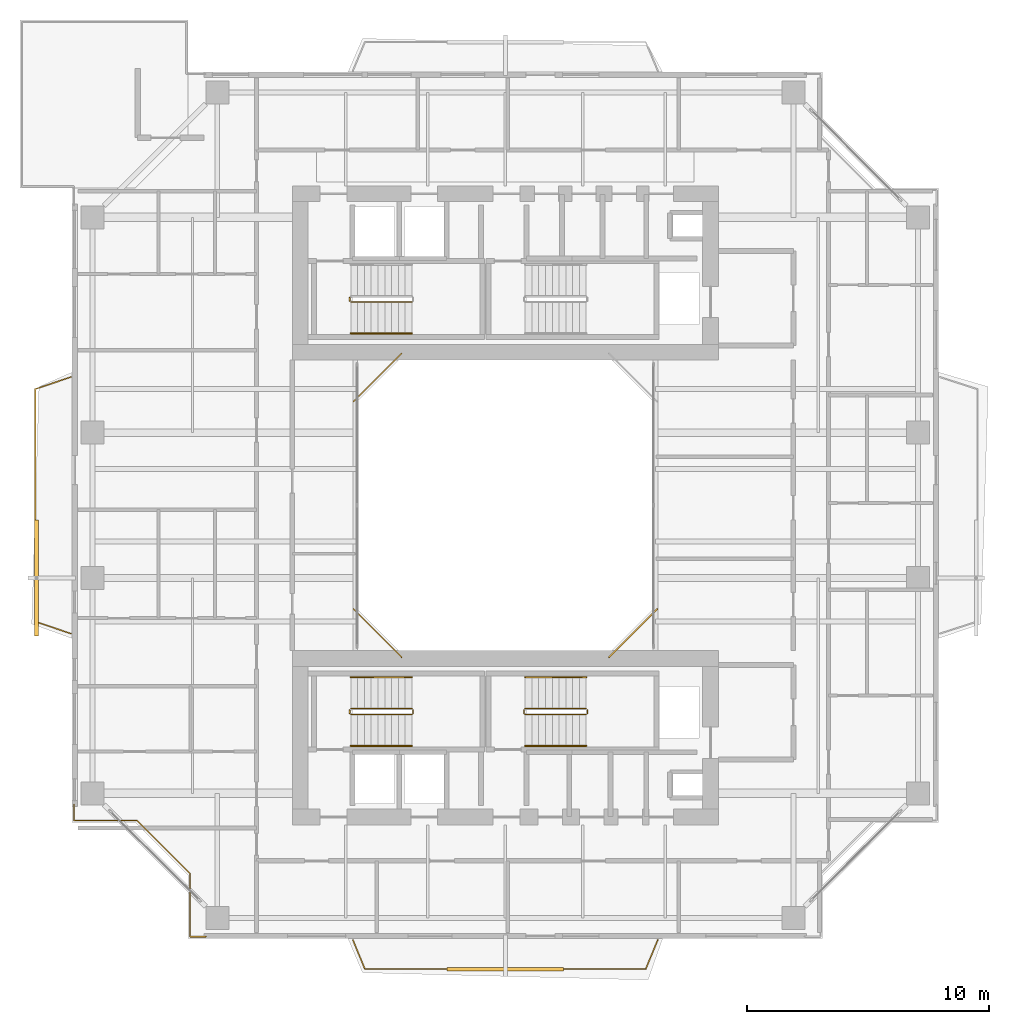
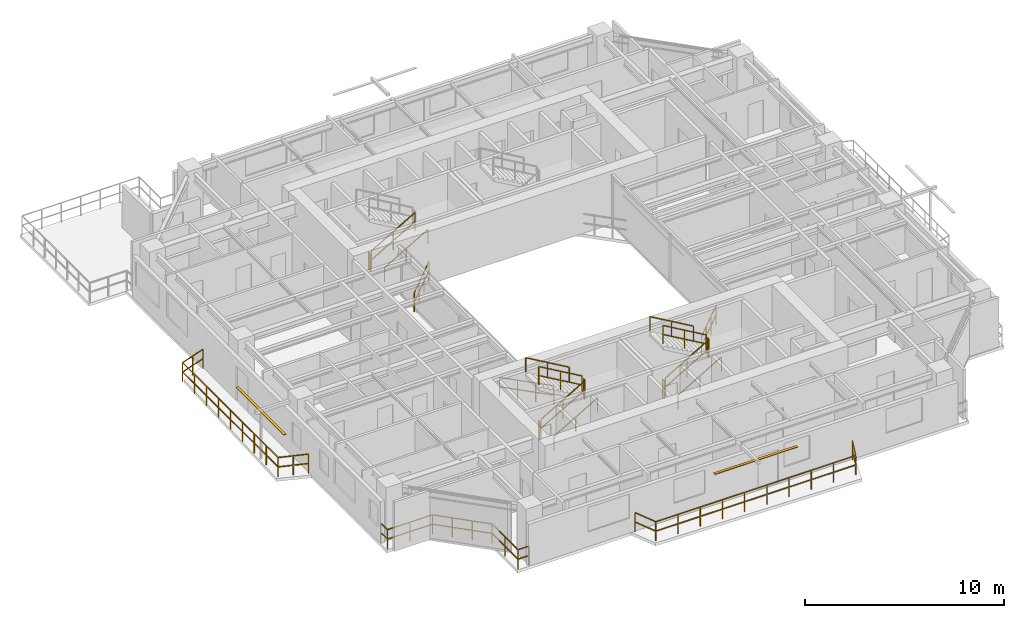
# One storey, part 16 of 18: 21 railings, 2 shading devices.
"""IFC4 building model written with IfcOpenShell, lengths in metres."""

from ifc_helpers import new_model, si_unit, direction, frame, origin, origin_2d, place, context, subcontext, project, spatial, rectangle, extrude, source, transform, mapped, material, material_profile, profile_set, type_object, element, save


model = new_model("IFC4")

# Units and contexts
model_context = context("Model", 3, precision=1e-05, world=origin(), true_north=direction((0.0, 1.0)))
body_context = subcontext(model_context, "Body", "Model", "MODEL_VIEW")
ifc_project = project(units=[si_unit("LENGTHUNIT", "METRE"), si_unit("AREAUNIT", "SQUARE_METRE"), si_unit("VOLUMEUNIT", "CUBIC_METRE"), si_unit("PLANEANGLEUNIT", "RADIAN"), si_unit("MASSUNIT", "GRAM", prefix="KILO"), si_unit("THERMODYNAMICTEMPERATUREUNIT", "KELVIN"), si_unit("POWERUNIT", "WATT")], contexts=[model_context])

# Site, building, storey
site_placement = place(None, origin())
site = spatial("IfcSite", under=ifc_project, at=site_placement, CompositionType="ELEMENT")
building_placement = place(site_placement, origin())
building = spatial("IfcBuilding", under=site, at=building_placement, Name="Qiaomeng Ring Towers", CompositionType="ELEMENT")
storey_placement = place(building_placement, frame((0.0, 0.0, 182.75)))
storey = spatial("IfcBuildingStorey", under=building, at=storey_placement, Name="L53", CompositionType="ELEMENT", Elevation=182.75)

# Railings
ifc_material_1 = material(Name="Low-E pale-green laminated safety glass", Category="glass")
railing_type_1 = type_object("IfcRailingType", Name="ARC-RL-BAL1", PredefinedType="BALUSTRADE", material=ifc_material_1)
railing_1_placement = place(storey_placement, frame((23.280029296875, 16.719970703125, 0.0)))
element("IfcRailing", 1, at=railing_1_placement, inside=storey, type_object=railing_type_1, Name="L53 Balustrade ARC-BAL-WELL1-L53-1", PredefinedType="BALUSTRADE", context=body_context, shape_type="SweptSolid", body=[
    extrude(rectangle(XDim=0.048095703125, YDim=0.048095703125, at=origin_2d()), frame((0.0, 0.0, 1.17578125), z_axis=(0.707106781187, 0.707106781187, 0.0), x_axis=(-0.707106781187, 0.707106781187, 0.0)), (0.0, 0.0, 1.0), 2.828369140625),
    extrude(rectangle(XDim=0.048095703125, YDim=0.048095703125, at=origin_2d()), frame((0.0, 0.0, 0.60009765625), z_axis=(0.707106781187, 0.707106781187, 0.0), x_axis=(-0.707106781187, 0.707106781187, 0.0)), (0.0, 0.0, 1.0), 2.828369140625),
    extrude(rectangle(XDim=0.0419921875, YDim=0.0419921875, at=origin_2d()), origin(), (0.0, 0.0, 1.0), 1.15185546875),
    extrude(rectangle(XDim=0.0419921875, YDim=0.0419921875, at=origin_2d()), frame((0.666748046875, 0.666748046875, 0.0)), (0.0, 0.0, 1.0), 1.15185546875),
    extrude(rectangle(XDim=0.0419921875, YDim=0.0419921875, at=origin_2d()), frame((1.333251953125, 1.333251953125, 0.0)), (0.0, 0.0, 1.0), 1.15185546875),
    extrude(rectangle(XDim=0.0419921875, YDim=0.0419921875, at=origin_2d()), frame((2.0, 2.0, 0.0)), (0.0, 0.0, 1.0), 1.15185546875),
])
railing_2_placement = place(storey_placement, frame((14.719970703125, 29.280029296875, 0.0)))
element("IfcRailing", 2, at=railing_2_placement, inside=storey, type_object=railing_type_1, Name="L53 Balustrade ARC-BAL-WELL1-L53-3", PredefinedType="BALUSTRADE", context=body_context, shape_type="SweptSolid", body=[
    extrude(rectangle(XDim=0.048095703125, YDim=0.048095703125, at=origin_2d()), frame((0.0, 0.0, 1.17578125), z_axis=(-0.707106781187, -0.707106781187, 0.0), x_axis=(0.707106781187, -0.707106781187, 0.0)), (0.0, 0.0, 1.0), 2.828369140625),
    extrude(rectangle(XDim=0.048095703125, YDim=0.048095703125, at=origin_2d()), frame((0.0, 0.0, 0.60009765625), z_axis=(-0.707106781187, -0.707106781187, 0.0), x_axis=(0.707106781187, -0.707106781187, 0.0)), (0.0, 0.0, 1.0), 2.828369140625),
    extrude(rectangle(XDim=0.0419921875, YDim=0.0419921875, at=origin_2d()), origin(), (0.0, 0.0, 1.0), 1.15185546875),
    extrude(rectangle(XDim=0.0419921875, YDim=0.0419921875, at=origin_2d()), frame((-0.666748046875, -0.666748046875, 0.0)), (0.0, 0.0, 1.0), 1.15185546875),
    extrude(rectangle(XDim=0.0419921875, YDim=0.0419921875, at=origin_2d()), frame((-1.333251953125, -1.333251953125, 0.0)), (0.0, 0.0, 1.0), 1.15185546875),
    extrude(rectangle(XDim=0.0419921875, YDim=0.0419921875, at=origin_2d()), frame((-2.0, -2.0, 0.0)), (0.0, 0.0, 1.0), 1.15185546875),
])
railing_3_placement = place(storey_placement, frame((12.719970703125, 18.719970703125, 0.0)))
element("IfcRailing", 3, at=railing_3_placement, inside=storey, type_object=railing_type_1, Name="L53 Balustrade ARC-BAL-WELL1-L53-4", PredefinedType="BALUSTRADE", context=body_context, shape_type="SweptSolid", body=[
    extrude(rectangle(XDim=0.048095703125, YDim=0.048095703125, at=origin_2d()), frame((0.0, 0.0, 1.17578125), z_axis=(0.707106781187, -0.707106781187, 0.0), x_axis=(0.707106781187, 0.707106781187, 0.0)), (0.0, 0.0, 1.0), 2.828369140625),
    extrude(rectangle(XDim=0.048095703125, YDim=0.048095703125, at=origin_2d()), frame((0.0, 0.0, 0.60009765625), z_axis=(0.707106781187, -0.707106781187, 0.0), x_axis=(0.707106781187, 0.707106781187, 0.0)), (0.0, 0.0, 1.0), 2.828369140625),
    extrude(rectangle(XDim=0.0419921875, YDim=0.0419921875, at=origin_2d()), origin(), (0.0, 0.0, 1.0), 1.15185546875),
    extrude(rectangle(XDim=0.0419921875, YDim=0.0419921875, at=origin_2d()), frame((0.666748046875, -0.666748046875, 0.0)), (0.0, 0.0, 1.0), 1.15185546875),
    extrude(rectangle(XDim=0.0419921875, YDim=0.0419921875, at=origin_2d()), frame((1.333251953125, -1.333251953125, 0.0)), (0.0, 0.0, 1.0), 1.15185546875),
    extrude(rectangle(XDim=0.0419921875, YDim=0.0419921875, at=origin_2d()), frame((2.0, -2.0, 0.0)), (0.0, 0.0, 1.0), 1.15185546875),
])
railing_4_placement = place(storey_placement, frame((1.179931640625, 10.6298828125, 0.0)))
element("IfcRailing", 4, at=railing_4_placement, inside=storey, type_object=railing_type_1, Name="L53 Balustrade ARC-BAL-NOTCH1-L53-SW", PredefinedType="BALUSTRADE", context=body_context, shape_type="SweptSolid", body=[
    extrude(rectangle(XDim=0.048095703125, YDim=0.048095703125, at=origin_2d()), frame((0.0, 0.0, 1.17578125), z_axis=(0.0, -1.0, 0.0), x_axis=(1.0, 0.0, 0.0)), (0.0, 0.0, 1.0), 0.64990234375),
    extrude(rectangle(XDim=0.048095703125, YDim=0.048095703125, at=origin_2d()), frame((0.0, 0.0, 0.60009765625), z_axis=(0.0, -1.0, 0.0), x_axis=(1.0, 0.0, 0.0)), (0.0, 0.0, 1.0), 0.64990234375),
    extrude(rectangle(XDim=0.048095703125, YDim=0.048095703125, at=origin_2d()), frame((0.0, -0.64990234375, 1.17578125), z_axis=(1.0, 0.0, 0.0), x_axis=(0.0, 1.0, 0.0)), (0.0, 0.0, 1.0), 2.60009765625),
    extrude(rectangle(XDim=0.048095703125, YDim=0.048095703125, at=origin_2d()), frame((0.0, -0.64990234375, 0.60009765625), z_axis=(1.0, 0.0, 0.0), x_axis=(0.0, 1.0, 0.0)), (0.0, 0.0, 1.0), 2.60009765625),
    extrude(rectangle(XDim=0.048095703125, YDim=0.048095703125, at=origin_2d()), frame((2.60009765625, -0.64990234375, 1.17578125), z_axis=(0.707106781187, -0.707106781187, 0.0), x_axis=(0.707106781187, 0.707106781187, 0.0)), (0.0, 0.0, 1.0), 3.111083984375),
    extrude(rectangle(XDim=0.048095703125, YDim=0.048095703125, at=origin_2d()), frame((2.60009765625, -0.64990234375, 0.60009765625), z_axis=(0.707106781187, -0.707106781187, 0.0), x_axis=(0.707106781187, 0.707106781187, 0.0)), (0.0, 0.0, 1.0), 3.111083984375),
    extrude(rectangle(XDim=0.048095703125, YDim=0.048095703125, at=origin_2d()), frame((4.800048828125, -2.849853515625, 1.17578125), z_axis=(0.0, -1.0, 0.0), x_axis=(1.0, 0.0, 0.0)), (0.0, 0.0, 1.0), 2.60009765625),
    extrude(rectangle(XDim=0.048095703125, YDim=0.048095703125, at=origin_2d()), frame((4.800048828125, -2.849853515625, 0.60009765625), z_axis=(0.0, -1.0, 0.0), x_axis=(1.0, 0.0, 0.0)), (0.0, 0.0, 1.0), 2.60009765625),
    extrude(rectangle(XDim=0.048095703125, YDim=0.048095703125, at=origin_2d()), frame((4.800048828125, -5.449951171875, 1.17578125), z_axis=(1.0, 0.0, 0.0), x_axis=(0.0, 1.0, 0.0)), (0.0, 0.0, 1.0), 0.64990234375),
    extrude(rectangle(XDim=0.048095703125, YDim=0.048095703125, at=origin_2d()), frame((4.800048828125, -5.449951171875, 0.60009765625), z_axis=(1.0, 0.0, 0.0), x_axis=(0.0, 1.0, 0.0)), (0.0, 0.0, 1.0), 0.64990234375),
    extrude(rectangle(XDim=0.0419921875, YDim=0.0419921875, at=origin_2d()), origin(), (0.0, 0.0, 1.0), 1.15185546875),
    extrude(rectangle(XDim=0.0419921875, YDim=0.0419921875, at=origin_2d()), frame((0.0, -0.64990234375, 0.0)), (0.0, 0.0, 1.0), 1.15185546875),
    extrude(rectangle(XDim=0.0419921875, YDim=0.0419921875, at=origin_2d()), frame((1.300048828125, -0.64990234375, 0.0)), (0.0, 0.0, 1.0), 1.15185546875),
    extrude(rectangle(XDim=0.0419921875, YDim=0.0419921875, at=origin_2d()), frame((2.60009765625, -0.64990234375, 0.0)), (0.0, 0.0, 1.0), 1.15185546875),
    extrude(rectangle(XDim=0.0419921875, YDim=0.0419921875, at=origin_2d()), frame((3.33349609375, -1.38330078125, 0.0)), (0.0, 0.0, 1.0), 1.15185546875),
    extrude(rectangle(XDim=0.0419921875, YDim=0.0419921875, at=origin_2d()), frame((4.066650390625, -2.116455078125, 0.0)), (0.0, 0.0, 1.0), 1.15185546875),
    extrude(rectangle(XDim=0.0419921875, YDim=0.0419921875, at=origin_2d()), frame((4.800048828125, -2.849853515625, 0.0)), (0.0, 0.0, 1.0), 1.15185546875),
    extrude(rectangle(XDim=0.0419921875, YDim=0.0419921875, at=origin_2d()), frame((4.800048828125, -4.14990234375, 0.0)), (0.0, 0.0, 1.0), 1.15185546875),
    extrude(rectangle(XDim=0.0419921875, YDim=0.0419921875, at=origin_2d()), frame((4.800048828125, -5.449951171875, 0.0)), (0.0, 0.0, 1.0), 1.15185546875),
    extrude(rectangle(XDim=0.0419921875, YDim=0.0419921875, at=origin_2d()), frame((5.449951171875, -5.449951171875, 0.0)), (0.0, 0.0, 1.0), 1.15185546875),
])
railing_5_placement = place(storey_placement, frame((12.699951171875, 5.050048828125, 0.0)))
element("IfcRailing", 5, at=railing_5_placement, inside=storey, type_object=railing_type_1, Name="L53 Balustrade ARC-BAL-L53-T1-S", PredefinedType="BALUSTRADE", context=body_context, shape_type="SweptSolid", body=[
    extrude(rectangle(XDim=0.048095703125, YDim=0.048095703125, at=origin_2d()), frame((0.0, 0.0, 1.17578125), z_axis=(0.381912525892, -0.924198475743, 0.0), x_axis=(0.924198475743, 0.381912525892, 0.0)), (0.0, 0.0, 1.0), 1.30908203125),
    extrude(rectangle(XDim=0.048095703125, YDim=0.048095703125, at=origin_2d()), frame((0.0, 0.0, 0.60009765625), z_axis=(0.381912525892, -0.924198475743, 0.0), x_axis=(0.924198475743, 0.381912525892, 0.0)), (0.0, 0.0, 1.0), 1.30908203125),
    extrude(rectangle(XDim=0.048095703125, YDim=0.048095703125, at=origin_2d()), frame((0.5, -1.2099609375, 1.17578125), z_axis=(1.0, 0.0, 0.0), x_axis=(0.0, 1.0, 0.0)), (0.0, 0.0, 1.0), 11.60009765625),
    extrude(rectangle(XDim=0.048095703125, YDim=0.048095703125, at=origin_2d()), frame((0.5, -1.2099609375, 0.60009765625), z_axis=(1.0, 0.0, 0.0), x_axis=(0.0, 1.0, 0.0)), (0.0, 0.0, 1.0), 11.60009765625),
    extrude(rectangle(XDim=0.048095703125, YDim=0.048095703125, at=origin_2d()), frame((12.10009765625, -1.2099609375, 1.17578125), z_axis=(0.381912525892, 0.924198475743, 0.0), x_axis=(-0.924198475743, 0.381912525892, 0.0)), (0.0, 0.0, 1.0), 1.30908203125),
    extrude(rectangle(XDim=0.048095703125, YDim=0.048095703125, at=origin_2d()), frame((12.10009765625, -1.2099609375, 0.60009765625), z_axis=(0.381912525892, 0.924198475743, 0.0), x_axis=(-0.924198475743, 0.381912525892, 0.0)), (0.0, 0.0, 1.0), 1.30908203125),
    extrude(rectangle(XDim=0.0419921875, YDim=0.0419921875, at=origin_2d()), origin(), (0.0, 0.0, 1.0), 1.15185546875),
    extrude(rectangle(XDim=0.0419921875, YDim=0.0419921875, at=origin_2d()), frame((0.5, -1.2099609375, 0.0)), (0.0, 0.0, 1.0), 1.15185546875),
    extrude(rectangle(XDim=0.0419921875, YDim=0.0419921875, at=origin_2d()), frame((1.788818359375, -1.2099609375, 0.0)), (0.0, 0.0, 1.0), 1.15185546875),
    extrude(rectangle(XDim=0.0419921875, YDim=0.0419921875, at=origin_2d()), frame((3.077880859375, -1.2099609375, 0.0)), (0.0, 0.0, 1.0), 1.15185546875),
    extrude(rectangle(XDim=0.0419921875, YDim=0.0419921875, at=origin_2d()), frame((4.36669921875, -1.2099609375, 0.0)), (0.0, 0.0, 1.0), 1.15185546875),
    extrude(rectangle(XDim=0.0419921875, YDim=0.0419921875, at=origin_2d()), frame((5.655517578125, -1.2099609375, 0.0)), (0.0, 0.0, 1.0), 1.15185546875),
    extrude(rectangle(XDim=0.0419921875, YDim=0.0419921875, at=origin_2d()), frame((6.944580078125, -1.2099609375, 0.0)), (0.0, 0.0, 1.0), 1.15185546875),
    extrude(rectangle(XDim=0.0419921875, YDim=0.0419921875, at=origin_2d()), frame((8.2333984375, -1.2099609375, 0.0)), (0.0, 0.0, 1.0), 1.15185546875),
    extrude(rectangle(XDim=0.0419921875, YDim=0.0419921875, at=origin_2d()), frame((9.522216796875, -1.2099609375, 0.0)), (0.0, 0.0, 1.0), 1.15185546875),
    extrude(rectangle(XDim=0.0419921875, YDim=0.0419921875, at=origin_2d()), frame((10.811279296875, -1.2099609375, 0.0)), (0.0, 0.0, 1.0), 1.15185546875),
    extrude(rectangle(XDim=0.0419921875, YDim=0.0419921875, at=origin_2d()), frame((12.10009765625, -1.2099609375, 0.0)), (0.0, 0.0, 1.0), 1.15185546875),
    extrude(rectangle(XDim=0.0419921875, YDim=0.0419921875, at=origin_2d()), frame((12.60009765625, 0.0, 0.0)), (0.0, 0.0, 1.0), 1.15185546875),
])
railing_6_placement = place(storey_placement, frame((1.050048828125, 17.699951171875, 0.0)))
element("IfcRailing", 6, at=railing_6_placement, inside=storey, type_object=railing_type_1, Name="L53 Balustrade ARC-BAL-L53-T1-W", PredefinedType="BALUSTRADE", context=body_context, shape_type="SweptSolid", body=[
    extrude(rectangle(XDim=0.048095703125, YDim=0.048095703125, at=origin_2d()), frame((0.0, 0.0, 1.17578125), z_axis=(-0.946731524739, 0.322023943309, 0.0), x_axis=(-0.322023943309, -0.946731524739, 0.0)), (0.0, 0.0, 1.0), 1.552734375),
    extrude(rectangle(XDim=0.048095703125, YDim=0.048095703125, at=origin_2d()), frame((0.0, 0.0, 0.60009765625), z_axis=(-0.946731524739, 0.322023943309, 0.0), x_axis=(-0.322023943309, -0.946731524739, 0.0)), (0.0, 0.0, 1.0), 1.552734375),
    extrude(rectangle(XDim=0.048095703125, YDim=0.048095703125, at=origin_2d()), frame((-1.469970703125, 0.5, 1.17578125), z_axis=(0.0, 1.0, 0.0), x_axis=(-1.0, 0.0, 0.0)), (0.0, 0.0, 1.0), 9.60009765625),
    extrude(rectangle(XDim=0.048095703125, YDim=0.048095703125, at=origin_2d()), frame((-1.469970703125, 0.5, 0.60009765625), z_axis=(0.0, 1.0, 0.0), x_axis=(-1.0, 0.0, 0.0)), (0.0, 0.0, 1.0), 9.60009765625),
    extrude(rectangle(XDim=0.048095703125, YDim=0.048095703125, at=origin_2d()), frame((-1.469970703125, 10.10009765625, 1.17578125), z_axis=(0.946731524739, 0.322023943309, 0.0), x_axis=(-0.322023943309, 0.946731524739, 0.0)), (0.0, 0.0, 1.0), 1.552734375),
    extrude(rectangle(XDim=0.048095703125, YDim=0.048095703125, at=origin_2d()), frame((-1.469970703125, 10.10009765625, 0.60009765625), z_axis=(0.946731524739, 0.322023943309, 0.0), x_axis=(-0.322023943309, 0.946731524739, 0.0)), (0.0, 0.0, 1.0), 1.552734375),
    extrude(rectangle(XDim=0.0419921875, YDim=0.0419921875, at=origin_2d()), origin(), (0.0, 0.0, 1.0), 1.15185546875),
    extrude(rectangle(XDim=0.0419921875, YDim=0.0419921875, at=origin_2d()), frame((-0.73486328125, 0.25, 0.0)), (0.0, 0.0, 1.0), 1.15185546875),
    extrude(rectangle(XDim=0.0419921875, YDim=0.0419921875, at=origin_2d()), frame((-1.469970703125, 0.5, 0.0)), (0.0, 0.0, 1.0), 1.15185546875),
    extrude(rectangle(XDim=0.0419921875, YDim=0.0419921875, at=origin_2d()), frame((-1.469970703125, 1.699951171875, 0.0)), (0.0, 0.0, 1.0), 1.15185546875),
    extrude(rectangle(XDim=0.0419921875, YDim=0.0419921875, at=origin_2d()), frame((-1.469970703125, 2.89990234375, 0.0)), (0.0, 0.0, 1.0), 1.15185546875),
    extrude(rectangle(XDim=0.0419921875, YDim=0.0419921875, at=origin_2d()), frame((-1.469970703125, 4.10009765625, 0.0)), (0.0, 0.0, 1.0), 1.15185546875),
    extrude(rectangle(XDim=0.0419921875, YDim=0.0419921875, at=origin_2d()), frame((-1.469970703125, 5.300048828125, 0.0)), (0.0, 0.0, 1.0), 1.15185546875),
    extrude(rectangle(XDim=0.0419921875, YDim=0.0419921875, at=origin_2d()), frame((-1.469970703125, 6.5, 0.0)), (0.0, 0.0, 1.0), 1.15185546875),
    extrude(rectangle(XDim=0.0419921875, YDim=0.0419921875, at=origin_2d()), frame((-1.469970703125, 7.7001953125, 0.0)), (0.0, 0.0, 1.0), 1.15185546875),
    extrude(rectangle(XDim=0.0419921875, YDim=0.0419921875, at=origin_2d()), frame((-1.469970703125, 8.900146484375, 0.0)), (0.0, 0.0, 1.0), 1.15185546875),
    extrude(rectangle(XDim=0.0419921875, YDim=0.0419921875, at=origin_2d()), frame((-1.469970703125, 10.10009765625, 0.0)), (0.0, 0.0, 1.0), 1.15185546875),
    extrude(rectangle(XDim=0.0419921875, YDim=0.0419921875, at=origin_2d()), frame((-0.73486328125, 10.35009765625, 0.0)), (0.0, 0.0, 1.0), 1.15185546875),
    extrude(rectangle(XDim=0.0419921875, YDim=0.0419921875, at=origin_2d()), frame((0.0, 10.60009765625, 0.0)), (0.0, 0.0, 1.0), 1.15185546875),
])
ifc_material_2 = material(Name="Galvanised steel", Category="steel")
railing_type_2 = type_object("IfcRailingType", Name="ARC-RL-GUARD", PredefinedType="GUARDRAIL", material=ifc_material_2)
railing_7_placement = place(storey_placement, frame((12.6201171875, 31.39990234375, 0.16259765625)))
element("IfcRailing", 7, at=railing_7_placement, inside=storey, type_object=railing_type_2, Name="L53 ST1 stair guard 1", PredefinedType="GUARDRAIL", context=body_context, shape_type="SweptSolid", body=[
    extrude(rectangle(XDim=0.048095703125, YDim=0.048095703125, at=origin_2d()), frame((0.0, 0.0, 1.1259765625), z_axis=(0.864892226395, 0.0, 0.501957604506), x_axis=(0.0, 1.0, 0.0)), (0.0, 0.0, 1.0), 2.913330078125),
    extrude(rectangle(XDim=0.048095703125, YDim=0.048095703125, at=origin_2d()), frame((0.0, 0.0, 0.574951171875), z_axis=(0.864892226395, 0.0, 0.501957604506), x_axis=(0.0, 1.0, 0.0)), (0.0, 0.0, 1.0), 2.913330078125),
    extrude(rectangle(XDim=0.0419921875, YDim=0.0419921875, at=origin_2d()), origin(), (0.0, 0.0, 1.0), 1.101806640625),
    extrude(rectangle(XDim=0.0419921875, YDim=0.0419921875, at=origin_2d()), frame((1.259765625, 0.0, 0.731201171875)), (0.0, 0.0, 1.0), 1.101806640625),
    extrude(rectangle(XDim=0.0419921875, YDim=0.0419921875, at=origin_2d()), frame((2.519775390625, 0.0, 1.46240234375)), (0.0, 0.0, 1.0), 1.101806640625),
])
railing_8_placement = place(storey_placement, frame((12.570068359375, 31.449951171875, 0.0)))
element("IfcRailing", 8, at=railing_8_placement, inside=storey, type_object=railing_type_2, Name="L53 ST1 stair guard 4", PredefinedType="GUARDRAIL", context=body_context, shape_type="SweptSolid", body=[
    extrude(rectangle(XDim=0.048095703125, YDim=0.048095703125, at=origin_2d()), frame((0.0, 0.0, 1.1259765625), z_axis=(0.0, 1.0, 0.0), x_axis=(-1.0, 0.0, 0.0)), (0.0, 0.0, 1.0), 0.14013671875),
    extrude(rectangle(XDim=0.048095703125, YDim=0.048095703125, at=origin_2d()), frame((0.0, 0.0, 0.574951171875), z_axis=(0.0, 1.0, 0.0), x_axis=(-1.0, 0.0, 0.0)), (0.0, 0.0, 1.0), 0.14013671875),
    extrude(rectangle(XDim=0.0419921875, YDim=0.0419921875, at=origin_2d()), origin(), (0.0, 0.0, 1.0), 1.101806640625),
    extrude(rectangle(XDim=0.0419921875, YDim=0.0419921875, at=origin_2d()), frame((0.0, 0.14013671875, 0.0)), (0.0, 0.0, 1.0), 1.101806640625),
])
railing_9_placement = place(storey_placement, frame((12.6201171875, 14.360107421875, 0.16259765625)))
element("IfcRailing", 9, at=railing_9_placement, inside=storey, type_object=railing_type_2, Name="L53 ST3 stair guard 1", PredefinedType="GUARDRAIL", context=body_context, shape_type="SweptSolid", body=[
    extrude(rectangle(XDim=0.048095703125, YDim=0.048095703125, at=origin_2d()), frame((0.0, 0.0, 1.1259765625), z_axis=(0.864892226395, 0.0, 0.501957604506), x_axis=(0.0, 1.0, 0.0)), (0.0, 0.0, 1.0), 2.913330078125),
    extrude(rectangle(XDim=0.048095703125, YDim=0.048095703125, at=origin_2d()), frame((0.0, 0.0, 0.574951171875), z_axis=(0.864892226395, 0.0, 0.501957604506), x_axis=(0.0, 1.0, 0.0)), (0.0, 0.0, 1.0), 2.913330078125),
    extrude(rectangle(XDim=0.0419921875, YDim=0.0419921875, at=origin_2d()), origin(), (0.0, 0.0, 1.0), 1.101806640625),
    extrude(rectangle(XDim=0.0419921875, YDim=0.0419921875, at=origin_2d()), frame((1.259765625, 0.0, 0.731201171875)), (0.0, 0.0, 1.0), 1.101806640625),
    extrude(rectangle(XDim=0.0419921875, YDim=0.0419921875, at=origin_2d()), frame((2.519775390625, 0.0, 1.46240234375)), (0.0, 0.0, 1.0), 1.101806640625),
])
railing_10_placement = place(storey_placement, frame((15.18994140625, 14.409912109375, 1.625)))
element("IfcRailing", 10, at=railing_10_placement, inside=storey, type_object=railing_type_2, Name="L53 ST3 stair guard 2", PredefinedType="GUARDRAIL", context=body_context, shape_type="SweptSolid", body=[
    extrude(rectangle(XDim=0.048095703125, YDim=0.048095703125, at=origin_2d()), frame((0.0, 0.0, 1.1259765625), z_axis=(0.0, 1.0, 0.0), x_axis=(-1.0, 0.0, 0.0)), (0.0, 0.0, 1.0), 0.14013671875),
    extrude(rectangle(XDim=0.048095703125, YDim=0.048095703125, at=origin_2d()), frame((0.0, 0.0, 0.574951171875), z_axis=(0.0, 1.0, 0.0), x_axis=(-1.0, 0.0, 0.0)), (0.0, 0.0, 1.0), 0.14013671875),
    extrude(rectangle(XDim=0.0419921875, YDim=0.0419921875, at=origin_2d()), origin(), (0.0, 0.0, 1.0), 1.101806640625),
    extrude(rectangle(XDim=0.0419921875, YDim=0.0419921875, at=origin_2d()), frame((0.0, 0.14013671875, 0.0)), (0.0, 0.0, 1.0), 1.101806640625),
])
railing_11_placement = place(storey_placement, frame((15.139892578125, 14.60009765625, 1.78759765625)))
element("IfcRailing", 11, at=railing_11_placement, inside=storey, type_object=railing_type_2, Name="L53 ST3 stair guard 3", PredefinedType="GUARDRAIL", context=body_context, shape_type="SweptSolid", body=[
    extrude(rectangle(XDim=0.048095703125, YDim=0.048095703125, at=origin_2d()), frame((0.0, 0.0, 1.1259765625), z_axis=(-0.864892226395, 0.0, 0.501957604506), x_axis=(0.0, -1.0, 0.0)), (0.0, 0.0, 1.0), 2.913330078125),
    extrude(rectangle(XDim=0.048095703125, YDim=0.048095703125, at=origin_2d()), frame((0.0, 0.0, 0.574951171875), z_axis=(-0.864892226395, 0.0, 0.501957604506), x_axis=(0.0, -1.0, 0.0)), (0.0, 0.0, 1.0), 2.913330078125),
    extrude(rectangle(XDim=0.0419921875, YDim=0.0419921875, at=origin_2d()), origin(), (0.0, 0.0, 1.0), 1.101806640625),
    extrude(rectangle(XDim=0.0419921875, YDim=0.0419921875, at=origin_2d()), frame((-1.259765625, 0.0, 0.731201171875)), (0.0, 0.0, 1.0), 1.101806640625),
    extrude(rectangle(XDim=0.0419921875, YDim=0.0419921875, at=origin_2d()), frame((-2.519775390625, 0.0, 1.46240234375)), (0.0, 0.0, 1.0), 1.101806640625),
])
railing_12_placement = place(storey_placement, frame((12.570068359375, 14.409912109375, 0.0)))
element("IfcRailing", 12, at=railing_12_placement, inside=storey, type_object=railing_type_2, Name="L53 ST3 stair guard 4", PredefinedType="GUARDRAIL", context=body_context, shape_type="SweptSolid", body=[
    extrude(rectangle(XDim=0.048095703125, YDim=0.048095703125, at=origin_2d()), frame((0.0, 0.0, 1.1259765625), z_axis=(0.0, 1.0, 0.0), x_axis=(-1.0, 0.0, 0.0)), (0.0, 0.0, 1.0), 0.14013671875),
    extrude(rectangle(XDim=0.048095703125, YDim=0.048095703125, at=origin_2d()), frame((0.0, 0.0, 0.574951171875), z_axis=(0.0, 1.0, 0.0), x_axis=(-1.0, 0.0, 0.0)), (0.0, 0.0, 1.0), 0.14013671875),
    extrude(rectangle(XDim=0.0419921875, YDim=0.0419921875, at=origin_2d()), origin(), (0.0, 0.0, 1.0), 1.101806640625),
    extrude(rectangle(XDim=0.0419921875, YDim=0.0419921875, at=origin_2d()), frame((0.0, 0.14013671875, 0.0)), (0.0, 0.0, 1.0), 1.101806640625),
])
railing_13_placement = place(storey_placement, frame((19.820068359375, 14.360107421875, 0.16259765625)))
element("IfcRailing", 13, at=railing_13_placement, inside=storey, type_object=railing_type_2, Name="L53 ST4 stair guard 1", PredefinedType="GUARDRAIL", context=body_context, shape_type="SweptSolid", body=[
    extrude(rectangle(XDim=0.048095703125, YDim=0.048095703125, at=origin_2d()), frame((0.0, 0.0, 1.1259765625), z_axis=(0.864913338283, 0.0, 0.50192122615), x_axis=(0.0, 1.0, 0.0)), (0.0, 0.0, 1.0), 2.91357421875),
    extrude(rectangle(XDim=0.048095703125, YDim=0.048095703125, at=origin_2d()), frame((0.0, 0.0, 0.574951171875), z_axis=(0.864913338283, 0.0, 0.50192122615), x_axis=(0.0, 1.0, 0.0)), (0.0, 0.0, 1.0), 2.91357421875),
    extrude(rectangle(XDim=0.0419921875, YDim=0.0419921875, at=origin_2d()), origin(), (0.0, 0.0, 1.0), 1.101806640625),
    extrude(rectangle(XDim=0.0419921875, YDim=0.0419921875, at=origin_2d()), frame((1.260009765625, 0.0, 0.731201171875)), (0.0, 0.0, 1.0), 1.101806640625),
    extrude(rectangle(XDim=0.0419921875, YDim=0.0419921875, at=origin_2d()), frame((2.52001953125, 0.0, 1.46240234375)), (0.0, 0.0, 1.0), 1.101806640625),
])
railing_14_placement = place(storey_placement, frame((22.389892578125, 14.409912109375, 1.625)))
element("IfcRailing", 14, at=railing_14_placement, inside=storey, type_object=railing_type_2, Name="L53 ST4 stair guard 2", PredefinedType="GUARDRAIL", context=body_context, shape_type="SweptSolid", body=[
    extrude(rectangle(XDim=0.048095703125, YDim=0.048095703125, at=origin_2d()), frame((0.0, 0.0, 1.1259765625), z_axis=(0.0, 1.0, 0.0), x_axis=(-1.0, 0.0, 0.0)), (0.0, 0.0, 1.0), 0.14013671875),
    extrude(rectangle(XDim=0.048095703125, YDim=0.048095703125, at=origin_2d()), frame((0.0, 0.0, 0.574951171875), z_axis=(0.0, 1.0, 0.0), x_axis=(-1.0, 0.0, 0.0)), (0.0, 0.0, 1.0), 0.14013671875),
    extrude(rectangle(XDim=0.0419921875, YDim=0.0419921875, at=origin_2d()), origin(), (0.0, 0.0, 1.0), 1.101806640625),
    extrude(rectangle(XDim=0.0419921875, YDim=0.0419921875, at=origin_2d()), frame((0.0, 0.14013671875, 0.0)), (0.0, 0.0, 1.0), 1.101806640625),
])
railing_15_placement = place(storey_placement, frame((22.340087890625, 14.60009765625, 1.78759765625)))
element("IfcRailing", 15, at=railing_15_placement, inside=storey, type_object=railing_type_2, Name="L53 ST4 stair guard 3", PredefinedType="GUARDRAIL", context=body_context, shape_type="SweptSolid", body=[
    extrude(rectangle(XDim=0.048095703125, YDim=0.048095703125, at=origin_2d()), frame((0.0, 0.0, 1.1259765625), z_axis=(-0.864913338283, 0.0, 0.50192122615), x_axis=(0.0, -1.0, 0.0)), (0.0, 0.0, 1.0), 2.91357421875),
    extrude(rectangle(XDim=0.048095703125, YDim=0.048095703125, at=origin_2d()), frame((0.0, 0.0, 0.574951171875), z_axis=(-0.864913338283, 0.0, 0.50192122615), x_axis=(0.0, -1.0, 0.0)), (0.0, 0.0, 1.0), 2.91357421875),
    extrude(rectangle(XDim=0.0419921875, YDim=0.0419921875, at=origin_2d()), origin(), (0.0, 0.0, 1.0), 1.101806640625),
    extrude(rectangle(XDim=0.0419921875, YDim=0.0419921875, at=origin_2d()), frame((-1.260009765625, 0.0, 0.731201171875)), (0.0, 0.0, 1.0), 1.101806640625),
    extrude(rectangle(XDim=0.0419921875, YDim=0.0419921875, at=origin_2d()), frame((-2.52001953125, 0.0, 1.46240234375)), (0.0, 0.0, 1.0), 1.101806640625),
])
railing_16_placement = place(storey_placement, frame((19.77001953125, 14.409912109375, 0.0)))
element("IfcRailing", 16, at=railing_16_placement, inside=storey, type_object=railing_type_2, Name="L53 ST4 stair guard 4", PredefinedType="GUARDRAIL", context=body_context, shape_type="SweptSolid", body=[
    extrude(rectangle(XDim=0.048095703125, YDim=0.048095703125, at=origin_2d()), frame((0.0, 0.0, 1.1259765625), z_axis=(0.0, 1.0, 0.0), x_axis=(-1.0, 0.0, 0.0)), (0.0, 0.0, 1.0), 0.14013671875),
    extrude(rectangle(XDim=0.048095703125, YDim=0.048095703125, at=origin_2d()), frame((0.0, 0.0, 0.574951171875), z_axis=(0.0, 1.0, 0.0), x_axis=(-1.0, 0.0, 0.0)), (0.0, 0.0, 1.0), 0.14013671875),
    extrude(rectangle(XDim=0.0419921875, YDim=0.0419921875, at=origin_2d()), origin(), (0.0, 0.0, 1.0), 1.101806640625),
    extrude(rectangle(XDim=0.0419921875, YDim=0.0419921875, at=origin_2d()), frame((0.0, 0.14013671875, 0.0)), (0.0, 0.0, 1.0), 1.101806640625),
])
ifc_material_3 = material(Name="Stainless steel 316", Category="steel")
railing_type_3 = type_object("IfcRailingType", Name="ARC-RL-HAND", PredefinedType="HANDRAIL", material=ifc_material_3)
for number, where, name in (
    (17, (12.6201171875, 30.10009765625, 0.16259765625), "L53 ST1 stair handrail 1"),
    (18, (12.6201171875, 13.06005859375, 0.16259765625), "L53 ST3 stair handrail 1"),
):
    element("IfcRailing", number, at=place(storey_placement, frame(where)), inside=storey, type_object=railing_type_3, Name=name, PredefinedType="HANDRAIL", context=body_context, shape_type="SweptSolid", body=[
        extrude(rectangle(XDim=0.048095703125, YDim=0.048095703125, at=origin_2d()), frame((0.0, 0.0, 0.8759765625), z_axis=(0.864892226395, 0.0, 0.501957604506), x_axis=(0.0, 1.0, 0.0)), (0.0, 0.0, 1.0), 2.913330078125),
        extrude(rectangle(XDim=0.0419921875, YDim=0.0419921875, at=origin_2d()), origin(), (0.0, 0.0, 1.0), 0.851806640625),
        extrude(rectangle(XDim=0.0419921875, YDim=0.0419921875, at=origin_2d()), frame((1.259765625, 0.0, 0.731201171875)), (0.0, 0.0, 1.0), 0.851806640625),
        extrude(rectangle(XDim=0.0419921875, YDim=0.0419921875, at=origin_2d()), frame((2.519775390625, 0.0, 1.46240234375)), (0.0, 0.0, 1.0), 0.851806640625),
    ])
railing_17_placement = place(storey_placement, frame((15.139892578125, 15.89990234375, 1.78759765625)))
element("IfcRailing", 19, at=railing_17_placement, inside=storey, type_object=railing_type_3, Name="L53 ST3 stair handrail 2", PredefinedType="HANDRAIL", context=body_context, shape_type="SweptSolid", body=[
    extrude(rectangle(XDim=0.048095703125, YDim=0.048095703125, at=origin_2d()), frame((0.0, 0.0, 0.8759765625), z_axis=(-0.864892226395, 0.0, 0.501957604506), x_axis=(0.0, -1.0, 0.0)), (0.0, 0.0, 1.0), 2.913330078125),
    extrude(rectangle(XDim=0.0419921875, YDim=0.0419921875, at=origin_2d()), origin(), (0.0, 0.0, 1.0), 0.851806640625),
    extrude(rectangle(XDim=0.0419921875, YDim=0.0419921875, at=origin_2d()), frame((-1.259765625, 0.0, 0.731201171875)), (0.0, 0.0, 1.0), 0.851806640625),
    extrude(rectangle(XDim=0.0419921875, YDim=0.0419921875, at=origin_2d()), frame((-2.519775390625, 0.0, 1.46240234375)), (0.0, 0.0, 1.0), 0.851806640625),
])
railing_18_placement = place(storey_placement, frame((19.820068359375, 13.06005859375, 0.16259765625)))
element("IfcRailing", 20, at=railing_18_placement, inside=storey, type_object=railing_type_3, Name="L53 ST4 stair handrail 1", PredefinedType="HANDRAIL", context=body_context, shape_type="SweptSolid", body=[
    extrude(rectangle(XDim=0.048095703125, YDim=0.048095703125, at=origin_2d()), frame((0.0, 0.0, 0.8759765625), z_axis=(0.864913338283, 0.0, 0.50192122615), x_axis=(0.0, 1.0, 0.0)), (0.0, 0.0, 1.0), 2.91357421875),
    extrude(rectangle(XDim=0.0419921875, YDim=0.0419921875, at=origin_2d()), origin(), (0.0, 0.0, 1.0), 0.851806640625),
    extrude(rectangle(XDim=0.0419921875, YDim=0.0419921875, at=origin_2d()), frame((1.260009765625, 0.0, 0.731201171875)), (0.0, 0.0, 1.0), 0.851806640625),
    extrude(rectangle(XDim=0.0419921875, YDim=0.0419921875, at=origin_2d()), frame((2.52001953125, 0.0, 1.46240234375)), (0.0, 0.0, 1.0), 0.851806640625),
])
railing_19_placement = place(storey_placement, frame((22.340087890625, 15.89990234375, 1.78759765625)))
element("IfcRailing", 21, at=railing_19_placement, inside=storey, type_object=railing_type_3, Name="L53 ST4 stair handrail 2", PredefinedType="HANDRAIL", context=body_context, shape_type="SweptSolid", body=[
    extrude(rectangle(XDim=0.048095703125, YDim=0.048095703125, at=origin_2d()), frame((0.0, 0.0, 0.8759765625), z_axis=(-0.864913338283, 0.0, 0.50192122615), x_axis=(0.0, -1.0, 0.0)), (0.0, 0.0, 1.0), 2.91357421875),
    extrude(rectangle(XDim=0.0419921875, YDim=0.0419921875, at=origin_2d()), origin(), (0.0, 0.0, 1.0), 0.851806640625),
    extrude(rectangle(XDim=0.0419921875, YDim=0.0419921875, at=origin_2d()), frame((-1.260009765625, 0.0, 0.731201171875)), (0.0, 0.0, 1.0), 0.851806640625),
    extrude(rectangle(XDim=0.0419921875, YDim=0.0419921875, at=origin_2d()), frame((-2.52001953125, 0.0, 1.46240234375)), (0.0, 0.0, 1.0), 0.851806640625),
])

# Shading devices
ifc_material_4 = material(Name="Fluorocarbon dark-grey aluminium", Category="aluminium")
ifc_material_profile = material_profile(ifc_material_4, rectangle(XDim=0.14990234375, YDim=0.034912109375, at=origin_2d()), Name="LV BLADE 150x35")
ifc_profile_set = profile_set([ifc_material_profile], Name="Fluorocarbon dark-grey aluminium")
shading_device_type = type_object("IfcShadingDeviceType", Name="ARC-SHD-SUN", PredefinedType="AWNING", material=ifc_profile_set)
shared_shape = source(origin(), body_context, "Body", "SweptSolid", [
    extrude(rectangle(XDim=0.14990234375, YDim=0.034912109375, at=origin_2d()), origin(), (0.0, 0.0, 1.0), 4.7998046875),
])
for number, where, z_axis, x_axis, name in (
    (22, (16.60009765625, 3.840087890625, 2.929931640625), (1.0, 0.0, 0.0), (0.0, 1.0, 0.0), "L53 Ventilated Outer-Skin Sunshade S"),
    (23, (-0.3701171875, 17.60009765625, 2.929931640625), (0.0, 1.0, 0.0), (-1.0, 0.0, 0.0), "L53 Ventilated Outer-Skin Sunshade W"),
):
    element("IfcShadingDevice", number, at=place(storey_placement, frame(where, z_axis=z_axis, x_axis=x_axis)), inside=storey, type_object=shading_device_type, Name=name, PredefinedType="AWNING", context=body_context, shape_type="MappedRepresentation", body=[
        mapped(shared_shape, transform((0.0, 0.0, 0.0), x_axis=(1.0, 0.0, 0.0), y_axis=(0.0, 1.0, 0.0), z_axis=(0.0, 0.0, 1.0), scale=1.0)),
    ])

save(model, "model.ifc")
